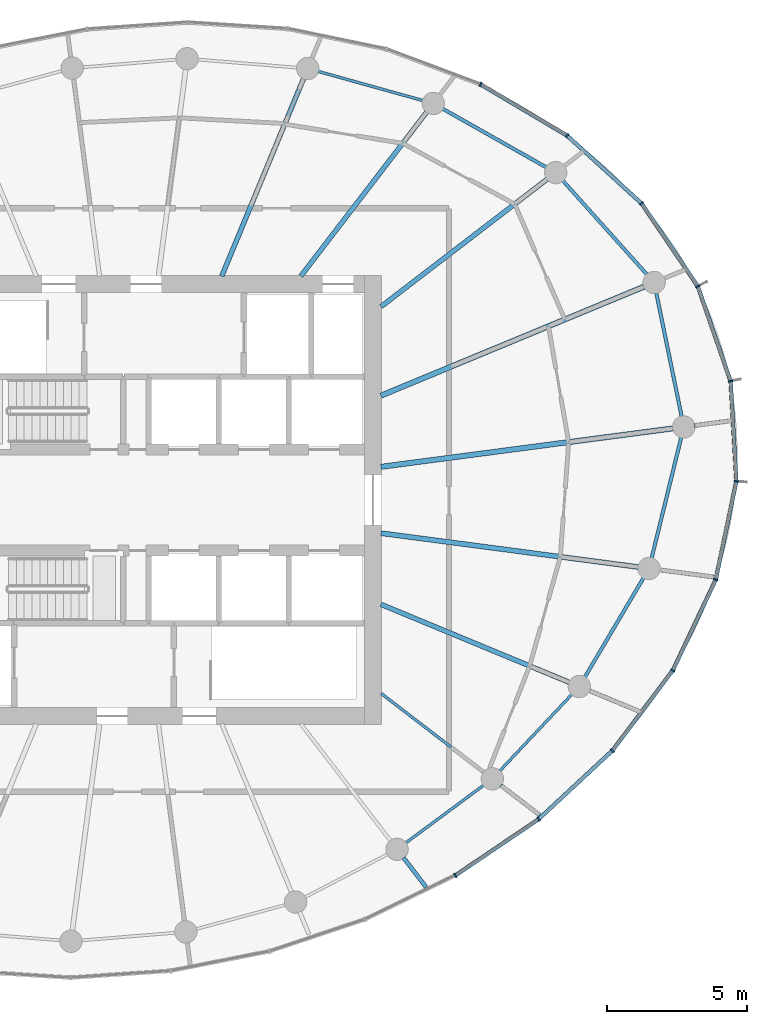
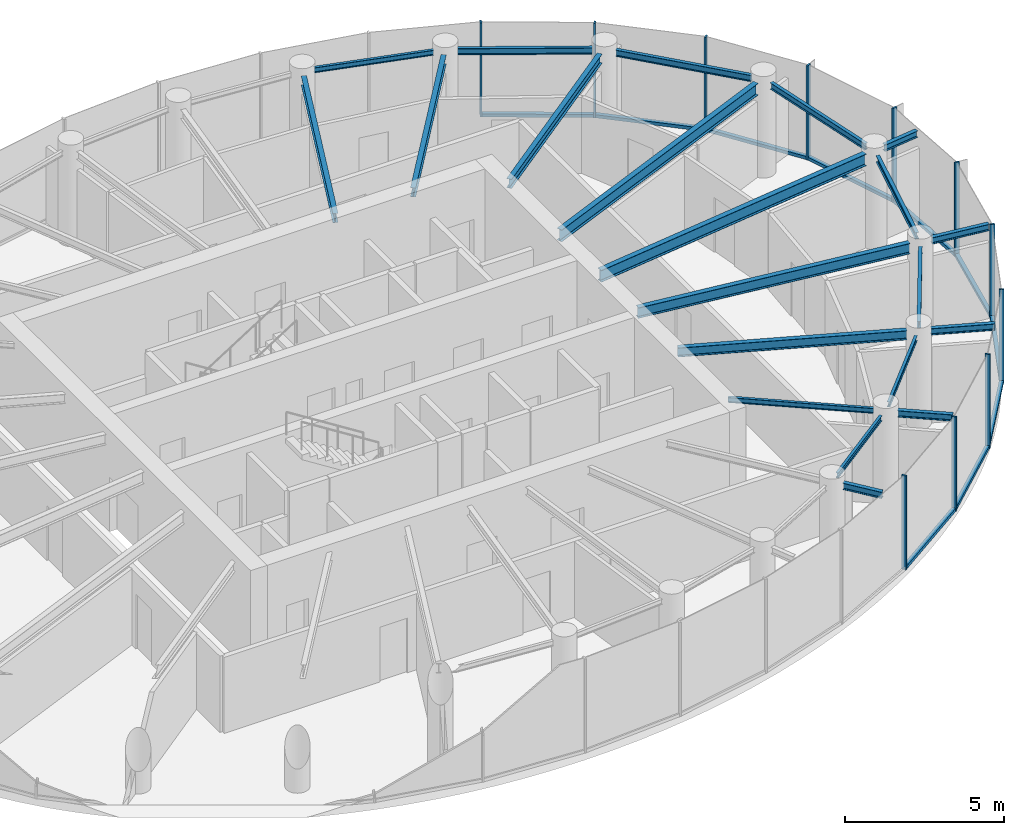
# One storey, part 5 of 13: 21 beams, 21 members, 3 elements without a shape of their own.
"""IFC4 building model written with IfcOpenShell, lengths in metres."""

from ifc_helpers import new_model, si_unit, direction, frame, origin, origin_2d, place, context, subcontext, project, spatial, rectangle, i_section, extrude, source, transform, mapped, material, layer, layer_set, material_profile, profile_set, type_object, element, aggregate, save


model = new_model("IFC4")

# Units and contexts
model_context = context("Model", 3, precision=1e-05, world=origin(), true_north=direction((0.0, 1.0)))
body_context = subcontext(model_context, "Body", "Model", "MODEL_VIEW")
ifc_project = project(units=[si_unit("LENGTHUNIT", "METRE"), si_unit("AREAUNIT", "SQUARE_METRE"), si_unit("VOLUMEUNIT", "CUBIC_METRE"), si_unit("PLANEANGLEUNIT", "RADIAN"), si_unit("MASSUNIT", "GRAM", prefix="KILO")], contexts=[model_context])

# Site, building, storey
site_placement = place(None, origin())
site = spatial("IfcSite", under=ifc_project, at=site_placement, CompositionType="ELEMENT")
building_placement = place(site_placement, origin())
building = spatial("IfcBuilding", under=site, at=building_placement, Name="Spindrift Exchange Tower", CompositionType="ELEMENT")
storey_placement = place(building_placement, frame((0.0, 0.0, 265.699951171875)))
storey = spatial("IfcBuildingStorey", under=building, at=storey_placement, Name="L65", CompositionType="ELEMENT", Elevation=265.699951171875)

# Beams
ifc_material_1 = material(Name="Steel Grade 300", Category="steel")
ifc_material_profile_1 = material_profile(ifc_material_1, i_section(OverallWidth=0.18994140625, OverallDepth=0.4541015625, WebThickness=0.008544921875, FlangeThickness=0.0126953125, FilletRadius=0.013916015625, at=origin_2d()), Name="460UB67.1")
ifc_profile_set_1 = profile_set([ifc_material_profile_1], Name="Steel Grade 300")
beam_type_1 = type_object("IfcBeamType", Name="Floor Beam 460UB67.1 Steel Grade 300", PredefinedType="BEAM", material=ifc_profile_set_1)
shared_shape_1 = source(origin(), body_context, "Body", "SweptSolid", [
    extrude(i_section(OverallWidth=0.18994140625, OverallDepth=0.4541015625, WebThickness=0.008544921875, FlangeThickness=0.0126953125, FilletRadius=0.013916015625, at=origin_2d()), origin(), (0.0, 0.0, 1.0), 10.510009765625),
])
beam_1_placement = place(storey_placement, frame((60.980224609375, 49.182373046875, 3.39306640625), z_axis=(0.991445042488, 0.130524816516, 0.0), x_axis=(-0.130524816516, 0.991445042488, 0.0)))
element("IfcBeam", 1, at=beam_1_placement, inside=storey, type_object=beam_type_1, Name="L65 radial beam R01A", PredefinedType="BEAM", context=body_context, shape_type="MappedRepresentation", body=[
    mapped(shared_shape_1, transform((0.0, 0.0, 0.0), scale=1.0)),
])
shared_shape_2 = source(origin(), body_context, "Body", "SweptSolid", [
    extrude(i_section(OverallWidth=0.18994140625, OverallDepth=0.4541015625, WebThickness=0.008544921875, FlangeThickness=0.0126953125, FilletRadius=0.013916015625, at=origin_2d()), origin(), (0.0, 0.0, 1.0), 10.160400390625),
])
beam_2_placement = place(storey_placement, frame((60.9814453125, 51.72021484375, 3.39306640625), z_axis=(0.923880358773, 0.382681437588, 0.0), x_axis=(-0.382681437588, 0.923880358773, 0.0)))
element("IfcBeam", 2, at=beam_2_placement, inside=storey, type_object=beam_type_1, Name="L65 radial beam R02A", PredefinedType="BEAM", context=body_context, shape_type="MappedRepresentation", body=[
    mapped(shared_shape_2, transform((0.0, 0.0, 0.0), scale=1.0)),
])
ifc_material_profile_2 = material_profile(ifc_material_1, i_section(OverallWidth=0.1708984375, OverallDepth=0.35205078125, WebThickness=0.0068359375, FlangeThickness=0.009765625, FilletRadius=0.013916015625, at=origin_2d()), Name="360UB44.7")
ifc_profile_set_2 = profile_set([ifc_material_profile_2], Name="Steel Grade 300")
beam_type_2 = type_object("IfcBeamType", Name="Floor Beam 360UB44.7 Steel Grade 300", PredefinedType="BEAM", material=ifc_profile_set_2)
shared_shape_3 = source(origin(), body_context, "Body", "SweptSolid", [
    extrude(i_section(OverallWidth=0.1708984375, OverallDepth=0.35205078125, WebThickness=0.0068359375, FlangeThickness=0.009765625, FilletRadius=0.013916015625, at=origin_2d()), origin(), (0.0, 0.0, 1.0), 7.466796875),
])
beam_3_placement = place(storey_placement, frame((60.984130859375, 54.893798828125, 3.444091796875), z_axis=(0.793360004804, 0.608752743548, 0.0), x_axis=(-0.608752743548, 0.793360004804, 0.0)))
element("IfcBeam", 3, at=beam_3_placement, inside=storey, type_object=beam_type_2, Name="L65 radial beam R03A", PredefinedType="BEAM", context=body_context, shape_type="MappedRepresentation", body=[
    mapped(shared_shape_3, transform((0.0, 0.0, 0.0), scale=1.0)),
])
shared_shape_4 = source(origin(), body_context, "Body", "SweptSolid", [
    extrude(i_section(OverallWidth=0.1708984375, OverallDepth=0.35205078125, WebThickness=0.0068359375, FlangeThickness=0.009765625, FilletRadius=0.013916015625, at=origin_2d()), origin(), (0.0, 0.0, 1.0), 7.3740234375),
])
beam_4_placement = place(storey_placement, frame((58.12646484375, 55.984130859375, 3.444091796875), z_axis=(0.608751913917, 0.793360641387, 0.0), x_axis=(-0.793360641387, 0.608751913917, 0.0)))
element("IfcBeam", 4, at=beam_4_placement, inside=storey, type_object=beam_type_2, Name="L65 radial beam R04A", PredefinedType="BEAM", context=body_context, shape_type="MappedRepresentation", body=[
    mapped(shared_shape_4, transform((0.0, 0.0, 0.0), scale=1.0)),
])
shared_shape_5 = source(origin(), body_context, "Body", "SweptSolid", [
    extrude(i_section(OverallWidth=0.1708984375, OverallDepth=0.35205078125, WebThickness=0.0068359375, FlangeThickness=0.009765625, FilletRadius=0.013916015625, at=origin_2d()), origin(), (0.0, 0.0, 1.0), 7.630859375),
])
beam_5_placement = place(storey_placement, frame((55.30615234375, 55.9814453125, 3.444091796875), z_axis=(0.382676740702, 0.92388230426, 0.0), x_axis=(-0.92388230426, 0.382676740702, 0.0)))
element("IfcBeam", 5, at=beam_5_placement, inside=storey, type_object=beam_type_2, Name="L65 radial beam R05A", PredefinedType="BEAM", context=body_context, shape_type="MappedRepresentation", body=[
    mapped(shared_shape_5, transform((0.0, 0.0, 0.0), scale=1.0)),
])
ifc_material_profile_3 = material_profile(ifc_material_1, i_section(OverallWidth=0.09912109375, OverallDepth=0.197998046875, WebThickness=0.00439453125, FlangeThickness=0.007080078125, FilletRadius=0.010986328125, at=origin_2d()), Name="200UB18.2")
ifc_profile_set_3 = profile_set([ifc_material_profile_3], Name="Steel Grade 300")
beam_type_3 = type_object("IfcBeamType", Name="Floor Beam 200UB18.2 Steel Grade 300", PredefinedType="BEAM", material=ifc_profile_set_3)
shared_shape_6 = source(origin(), body_context, "Body", "SweptSolid", [
    extrude(i_section(OverallWidth=0.09912109375, OverallDepth=0.197998046875, WebThickness=0.00439453125, FlangeThickness=0.007080078125, FilletRadius=0.010986328125, at=origin_2d()), origin(), (0.0, 0.0, 1.0), 4.622802734375),
])
beam_6_placement = place(storey_placement, frame((60.984130859375, 41.106201171875, 3.52099609375), z_axis=(0.793347882225, -0.608768542033, 0.0), x_axis=(0.608768542033, 0.793347882225, 0.0)))
element("IfcBeam", 6, at=beam_6_placement, inside=storey, type_object=beam_type_3, Name="L65 radial beam R22A", PredefinedType="BEAM", context=body_context, shape_type="MappedRepresentation", body=[
    mapped(shared_shape_6, transform((0.0, 0.0, 0.0), scale=1.0)),
])
shared_shape_7 = source(origin(), body_context, "Body", "SweptSolid", [
    extrude(i_section(OverallWidth=0.1708984375, OverallDepth=0.35205078125, WebThickness=0.0068359375, FlangeThickness=0.009765625, FilletRadius=0.013916015625, at=origin_2d()), origin(), (0.0, 0.0, 1.0), 7.272705078125),
])
beam_7_placement = place(storey_placement, frame((60.9814453125, 44.27978515625, 3.444091796875), z_axis=(0.923874446092, -0.382695711836, 0.0), x_axis=(0.382695711836, 0.923874446092, 0.0)))
element("IfcBeam", 7, at=beam_7_placement, inside=storey, type_object=beam_type_2, Name="L65 radial beam R23A", PredefinedType="BEAM", context=body_context, shape_type="MappedRepresentation", body=[
    mapped(shared_shape_7, transform((0.0, 0.0, 0.0), scale=1.0)),
])
ifc_material_profile_4 = material_profile(ifc_material_1, i_section(OverallWidth=0.177978515625, OverallDepth=0.403076171875, WebThickness=0.007568359375, FlangeThickness=0.010986328125, FilletRadius=0.013916015625, at=origin_2d()), Name="410UB53.7")
ifc_profile_set_4 = profile_set([ifc_material_profile_4], Name="Steel Grade 300")
beam_type_4 = type_object("IfcBeamType", Name="Floor Beam 410UB53.7 Steel Grade 300", PredefinedType="BEAM", material=ifc_profile_set_4)
shared_shape_8 = source(origin(), body_context, "Body", "SweptSolid", [
    extrude(i_section(OverallWidth=0.177978515625, OverallDepth=0.403076171875, WebThickness=0.007568359375, FlangeThickness=0.010986328125, FilletRadius=0.013916015625, at=origin_2d()), origin(), (0.0, 0.0, 1.0), 9.261962890625),
])
beam_8_placement = place(storey_placement, frame((60.980224609375, 46.817626953125, 3.41845703125), z_axis=(0.991447744872, -0.130504288008, 0.0), x_axis=(0.130504288008, 0.991447744872, 0.0)))
element("IfcBeam", 8, at=beam_8_placement, inside=storey, type_object=beam_type_4, Name="L65 radial beam R24A", PredefinedType="BEAM", context=body_context, shape_type="MappedRepresentation", body=[
    mapped(shared_shape_8, transform((0.0, 0.0, 0.0), scale=1.0)),
])
ifc_material_profile_5 = material_profile(ifc_material_1, i_section(OverallWidth=0.1240234375, OverallDepth=0.248046875, WebThickness=0.0048828125, FlangeThickness=0.008056640625, FilletRadius=0.011962890625, at=origin_2d()), Name="250UB25.7")
ifc_profile_set_5 = profile_set([ifc_material_profile_5], Name="Steel Grade 300")
beam_type_5 = type_object("IfcBeamType", Name="Edge Beam 250UB25.7 Steel Grade 300", PredefinedType="SPANDREL", material=ifc_profile_set_5)
shared_shape_9 = source(origin(), body_context, "Body", "SweptSolid", [
    extrude(i_section(OverallWidth=0.1240234375, OverallDepth=0.248046875, WebThickness=0.0048828125, FlangeThickness=0.008056640625, FilletRadius=0.011962890625, at=origin_2d()), origin(), (0.0, 0.0, 1.0), 4.497802734375),
])
beam_9_placement = place(storey_placement, frame((71.700927734375, 50.975830078125, 3.49609375), z_axis=(-0.201217935785, 0.979546498293, 0.0), x_axis=(-0.979546498293, -0.201217935785, 0.0)))
element("IfcBeam", 9, at=beam_9_placement, inside=storey, type_object=beam_type_5, Name="L65 edge beam E01", PredefinedType="SPANDREL", context=body_context, shape_type="MappedRepresentation", body=[
    mapped(shared_shape_9, transform((0.0, 0.0, 0.0), scale=1.0)),
])
shared_shape_10 = source(origin(), body_context, "Body", "SweptSolid", [
    extrude(i_section(OverallWidth=0.1240234375, OverallDepth=0.248046875, WebThickness=0.0048828125, FlangeThickness=0.008056640625, FilletRadius=0.011962890625, at=origin_2d()), origin(), (0.0, 0.0, 1.0), 4.499755859375),
])
beam_10_placement = place(storey_placement, frame((70.466064453125, 56.036865234375, 3.49609375), z_axis=(-0.667419502646, 0.744681950558, 0.0), x_axis=(-0.744681950558, -0.667419502646, 0.0)))
element("IfcBeam", 10, at=beam_10_placement, inside=storey, type_object=beam_type_5, Name="L65 edge beam E02", PredefinedType="SPANDREL", context=body_context, shape_type="MappedRepresentation", body=[
    mapped(shared_shape_10, transform((0.0, 0.0, 0.0), scale=1.0)),
])
shared_shape_11 = source(origin(), body_context, "Body", "SweptSolid", [
    extrude(i_section(OverallWidth=0.1240234375, OverallDepth=0.248046875, WebThickness=0.0048828125, FlangeThickness=0.008056640625, FilletRadius=0.011962890625, at=origin_2d()), origin(), (0.0, 0.0, 1.0), 4.2509765625),
])
beam_11_placement = place(storey_placement, frame((66.878662109375, 59.857666015625, 3.49609375), z_axis=(-0.870615246867, 0.491964523033, 0.0), x_axis=(-0.491964523033, -0.870615246867, 0.0)))
element("IfcBeam", 11, at=beam_11_placement, inside=storey, type_object=beam_type_5, Name="L65 edge beam E03", PredefinedType="SPANDREL", context=body_context, shape_type="MappedRepresentation", body=[
    mapped(shared_shape_11, transform((0.0, 0.0, 0.0), scale=1.0)),
])
ifc_material_profile_6 = material_profile(ifc_material_1, i_section(OverallWidth=0.09912109375, OverallDepth=0.197998046875, WebThickness=0.00439453125, FlangeThickness=0.007080078125, FilletRadius=0.010986328125, at=origin_2d()), Name="200UB18.2")
ifc_profile_set_6 = profile_set([ifc_material_profile_6], Name="Steel Grade 300")
beam_type_6 = type_object("IfcBeamType", Name="Edge Beam 200UB18.2 Steel Grade 300", PredefinedType="SPANDREL", material=ifc_profile_set_6)
shared_shape_12 = source(origin(), body_context, "Body", "SweptSolid", [
    extrude(i_section(OverallWidth=0.09912109375, OverallDepth=0.197998046875, WebThickness=0.00439453125, FlangeThickness=0.007080078125, FilletRadius=0.010986328125, at=origin_2d()), origin(), (0.0, 0.0, 1.0), 3.885498046875),
])
beam_12_placement = place(storey_placement, frame((62.480712890625, 62.238037109375, 3.52099609375), z_axis=(-0.963333134661, 0.268308165482, 0.0), x_axis=(-0.268308165482, -0.963333134661, 0.0)))
element("IfcBeam", 12, at=beam_12_placement, inside=storey, type_object=beam_type_6, Name="L65 edge beam E04", PredefinedType="SPANDREL", context=body_context, shape_type="MappedRepresentation", body=[
    mapped(shared_shape_12, transform((0.0, 0.0, 0.0), scale=1.0)),
])
shared_shape_13 = source(origin(), body_context, "Body", "SweptSolid", [
    extrude(i_section(OverallWidth=0.09912109375, OverallDepth=0.197998046875, WebThickness=0.00439453125, FlangeThickness=0.007080078125, FilletRadius=0.010986328125, at=origin_2d()), origin(), (0.0, 0.0, 1.0), 3.466552734375),
])
beam_13_placement = place(storey_placement, frame((61.861083984375, 35.772705078125, 3.52099609375), z_axis=(0.803854022168, 0.594826622676, 0.0), x_axis=(-0.594826622676, 0.803854022168, 0.0)))
element("IfcBeam", 13, at=beam_13_placement, inside=storey, type_object=beam_type_6, Name="L65 edge beam E21", PredefinedType="SPANDREL", context=body_context, shape_type="MappedRepresentation", body=[
    mapped(shared_shape_13, transform((0.0, 0.0, 0.0), scale=1.0)),
])
shared_shape_14 = source(origin(), body_context, "Body", "SweptSolid", [
    extrude(i_section(OverallWidth=0.09912109375, OverallDepth=0.197998046875, WebThickness=0.00439453125, FlangeThickness=0.007080078125, FilletRadius=0.010986328125, at=origin_2d()), origin(), (0.0, 0.0, 1.0), 3.759765625),
])
beam_14_placement = place(storey_placement, frame((65.213623046875, 38.33740234375, 3.52099609375), z_axis=(0.685520646854, 0.72805318675, 0.0), x_axis=(-0.72805318675, 0.685520646854, 0.0)))
element("IfcBeam", 14, at=beam_14_placement, inside=storey, type_object=beam_type_6, Name="L65 edge beam E22", PredefinedType="SPANDREL", context=body_context, shape_type="MappedRepresentation", body=[
    mapped(shared_shape_14, transform((0.0, 0.0, 0.0), scale=1.0)),
])
shared_shape_15 = source(origin(), body_context, "Body", "SweptSolid", [
    extrude(i_section(OverallWidth=0.1240234375, OverallDepth=0.248046875, WebThickness=0.0048828125, FlangeThickness=0.008056640625, FilletRadius=0.011962890625, at=origin_2d()), origin(), (0.0, 0.0, 1.0), 4.128662109375),
])
beam_15_placement = place(storey_placement, frame((68.244873046875, 41.678466796875, 3.49609375), z_axis=(0.509067946458, 0.860726336235, 0.0), x_axis=(-0.860726336235, 0.509067946458, 0.0)))
element("IfcBeam", 15, at=beam_15_placement, inside=storey, type_object=beam_type_5, Name="L65 edge beam E23", PredefinedType="SPANDREL", context=body_context, shape_type="MappedRepresentation", body=[
    mapped(shared_shape_15, transform((0.0, 0.0, 0.0), scale=1.0)),
])
shared_shape_16 = source(origin(), body_context, "Body", "SweptSolid", [
    extrude(i_section(OverallWidth=0.1240234375, OverallDepth=0.248046875, WebThickness=0.0048828125, FlangeThickness=0.008056640625, FilletRadius=0.011962890625, at=origin_2d()), origin(), (0.0, 0.0, 1.0), 4.43408203125),
])
beam_16_placement = place(storey_placement, frame((70.630615234375, 45.92822265625, 3.49609375), z_axis=(0.238193109804, 0.971217814109, 0.0), x_axis=(-0.971217814109, 0.238193109804, 0.0)))
element("IfcBeam", 16, at=beam_16_placement, inside=storey, type_object=beam_type_5, Name="L65 edge beam E24", PredefinedType="SPANDREL", context=body_context, shape_type="MappedRepresentation", body=[
    mapped(shared_shape_16, transform((0.0, 0.0, 0.0), scale=1.0)),
])
ifc_material_profile_7 = material_profile(ifc_material_1, i_section(OverallWidth=0.14599609375, OverallDepth=0.251953125, WebThickness=0.006103515625, FlangeThickness=0.008544921875, FilletRadius=0.011962890625, at=origin_2d()), Name="250UB31.4")
ifc_profile_set_7 = profile_set([ifc_material_profile_7], Name="Steel Grade 300")
beam_type_7 = type_object("IfcBeamType", Name="Cantilever Beam 250UB31.4 Steel Grade 300", PredefinedType="BEAM", material=ifc_profile_set_7)
shared_shape_17 = source(origin(), body_context, "Body", "SweptSolid", [
    extrude(i_section(OverallWidth=0.14599609375, OverallDepth=0.251953125, WebThickness=0.006103515625, FlangeThickness=0.008544921875, FilletRadius=0.011962890625, at=origin_2d()), origin(), (0.0, 0.0, 1.0), 1.293212890625),
])
beam_17_placement = place(storey_placement, frame((72.154052734375, 50.6533203125, 3.494140625), z_axis=(0.991455580564, 0.130444746034, 0.0), x_axis=(-0.130444746034, 0.991455580564, 0.0)))
element("IfcBeam", 17, at=beam_17_placement, inside=storey, type_object=beam_type_7, Name="L65 cantilever beam R01T", PredefinedType="BEAM", context=body_context, shape_type="MappedRepresentation", body=[
    mapped(shared_shape_17, transform((0.0, 0.0, 0.0), scale=1.0)),
])
shared_shape_18 = source(origin(), body_context, "Body", "SweptSolid", [
    extrude(i_section(OverallWidth=0.14599609375, OverallDepth=0.251953125, WebThickness=0.006103515625, FlangeThickness=0.008544921875, FilletRadius=0.011962890625, at=origin_2d()), origin(), (0.0, 0.0, 1.0), 1.327880859375),
])
beam_18_placement = place(storey_placement, frame((61.787109375, 35.245361328125, 3.494140625), z_axis=(0.608759582862, -0.793354756886, 0.0), x_axis=(0.793354756886, 0.608759582862, 0.0)))
element("IfcBeam", 18, at=beam_18_placement, inside=storey, type_object=beam_type_7, Name="L65 cantilever beam R21T", PredefinedType="BEAM", context=body_context, shape_type="MappedRepresentation", body=[
    mapped(shared_shape_18, transform((0.0, 0.0, 0.0), scale=1.0)),
])
shared_shape_19 = source(origin(), body_context, "Body", "SweptSolid", [
    extrude(i_section(OverallWidth=0.14599609375, OverallDepth=0.251953125, WebThickness=0.006103515625, FlangeThickness=0.008544921875, FilletRadius=0.011962890625, at=origin_2d()), origin(), (0.0, 0.0, 1.0), 1.7568359375),
])
beam_19_placement = place(storey_placement, frame((65.25439453125, 37.829345703125, 3.494140625), z_axis=(0.793398292665, -0.608702841456, 0.0), x_axis=(0.608702841456, 0.793398292665, 0.0)))
element("IfcBeam", 19, at=beam_19_placement, inside=storey, type_object=beam_type_7, Name="L65 cantilever beam R22T", PredefinedType="BEAM", context=body_context, shape_type="MappedRepresentation", body=[
    mapped(shared_shape_19, transform((0.0, 0.0, 0.0), scale=1.0)),
])
shared_shape_20 = source(origin(), body_context, "Body", "SweptSolid", [
    extrude(i_section(OverallWidth=0.14599609375, OverallDepth=0.251953125, WebThickness=0.006103515625, FlangeThickness=0.008544921875, FilletRadius=0.011962890625, at=origin_2d()), origin(), (0.0, 0.0, 1.0), 2.03515625),
])
beam_20_placement = place(storey_placement, frame((68.402587890625, 41.205810546875, 3.494140625), z_axis=(0.923891104078, -0.382655494937, 0.0), x_axis=(0.382655494937, 0.923891104078, 0.0)))
element("IfcBeam", 20, at=beam_20_placement, inside=storey, type_object=beam_type_7, Name="L65 cantilever beam R23T", PredefinedType="BEAM", context=body_context, shape_type="MappedRepresentation", body=[
    mapped(shared_shape_20, transform((0.0, 0.0, 0.0), scale=1.0)),
])
shared_shape_21 = source(origin(), body_context, "Body", "SweptSolid", [
    extrude(i_section(OverallWidth=0.14599609375, OverallDepth=0.251953125, WebThickness=0.006103515625, FlangeThickness=0.008544921875, FilletRadius=0.011962890625, at=origin_2d()), origin(), (0.0, 0.0, 1.0), 1.941162109375),
])
beam_21_placement = place(storey_placement, frame((70.916748046875, 45.509521484375, 3.494140625), z_axis=(0.991441876762, -0.130548860596, 0.0), x_axis=(0.130548860596, 0.991441876762, 0.0)))
element("IfcBeam", 21, at=beam_21_placement, inside=storey, type_object=beam_type_7, Name="L65 cantilever beam R24T", PredefinedType="BEAM", context=body_context, shape_type="MappedRepresentation", body=[
    mapped(shared_shape_21, transform((0.0, 0.0, 0.0), scale=1.0)),
])

# Curtain wall, members
ifc_material_2 = material(Name="Fritted laminated glass with bronze frame", Category="glass")
ifc_layer = layer(ifc_material_2, 0.159912109375)
ifc_layer_set = layer_set([ifc_layer], Name="ZONE 5 BRONZE FRITTED WALL")
curtain_wall_type = type_object("IfcCurtainWallType", Name="ZONE 5 BRONZE FRITTED WALL", PredefinedType="NOTDEFINED", material=ifc_layer_set)
curtain_wall_1_placement = place(storey_placement, origin())
curtain_wall_1 = element("IfcCurtainWall", 22, at=curtain_wall_1_placement, inside=storey, type_object=curtain_wall_type, Name="L65 Zone 5 Bronze Fritted Wall run 5", PredefinedType="NOTDEFINED")
ifc_material_3 = material(Name="Bronze anodised aluminium", Category="aluminium")
ifc_material_profile_8 = material_profile(ifc_material_3, rectangle(XDim=0.139892578125, YDim=0.1201171875, at=origin_2d()), Name="ZONE 5 BRONZE FRITTED WALL TRANSOM 140X120")
ifc_profile_set_8 = profile_set([ifc_material_profile_8], Name="Bronze anodised aluminium")
member_type_1 = type_object("IfcMemberType", Name="ZONE 5 BRONZE FRITTED WALL TRANSOM 140X120", PredefinedType="USERDEFINED", material=ifc_profile_set_8)
shared_shape_22 = source(origin(), body_context, "Body", "SweptSolid", [
    extrude(rectangle(XDim=0.139892578125, YDim=0.1201171875, at=origin_2d()), origin(), (0.0, 0.0, 1.0), 3.525390625),
])
member_1_placement = place(storey_placement, frame((63.656982421875, 34.631103515625, 0.06005859375), z_axis=(0.828657553616, 0.559755892184, 0.0), x_axis=(-0.559755892184, 0.828657553616, 0.0)))
member_1 = element("IfcMember", 23, at=member_1_placement, type_object=member_type_1, Name="L65 transom CW-5.29", ObjectType="TRANSOM", PredefinedType="USERDEFINED", context=body_context, shape_type="MappedRepresentation", body=[
    mapped(shared_shape_22, transform((0.0, 0.0, 0.0), scale=1.0)),
])
shared_shape_23 = source(origin(), body_context, "Body", "SweptSolid", [
    extrude(rectangle(XDim=0.139892578125, YDim=0.1201171875, at=origin_2d()), origin(), (0.0, 0.0, 1.0), 3.524658203125),
])
member_2_placement = place(storey_placement, frame((66.625244140625, 36.641845703125, 0.06005859375), z_axis=(0.732336938056, 0.680942441883, 0.0), x_axis=(-0.680942441883, 0.732336938056, 0.0)))
member_2 = element("IfcMember", 24, at=member_2_placement, type_object=member_type_1, Name="L65 transom CW-5.30", ObjectType="TRANSOM", PredefinedType="USERDEFINED", context=body_context, shape_type="MappedRepresentation", body=[
    mapped(shared_shape_23, transform((0.0, 0.0, 0.0), scale=1.0)),
])

# Curtain wall, member
curtain_wall_2_placement = place(storey_placement, origin())
curtain_wall_2 = element("IfcCurtainWall", 25, at=curtain_wall_2_placement, inside=storey, type_object=curtain_wall_type, Name="L65 Zone 5 Bronze Fritted Wall run 1", PredefinedType="NOTDEFINED")
shared_shape_24 = source(origin(), body_context, "Body", "SweptSolid", [
    extrude(rectangle(XDim=0.139892578125, YDim=0.1201171875, at=origin_2d()), origin(), (0.0, 0.0, 1.0), 3.521484375),
])
member_3_placement = place(storey_placement, frame((70.243896484375, 58.599609375, 0.06005859375), z_axis=(-0.739368881408, 0.673300569736, 0.0), x_axis=(-0.673300569736, -0.739368881408, 0.0)))
member_3 = element("IfcMember", 26, at=member_3_placement, type_object=member_type_1, Name="L65 transom CW-5.3", ObjectType="TRANSOM", PredefinedType="USERDEFINED", context=body_context, shape_type="MappedRepresentation", body=[
    mapped(shared_shape_24, transform((0.0, 0.0, 0.0), scale=1.0)),
])

curtain_wall_3_placement = place(storey_placement, origin())
curtain_wall_3 = element("IfcCurtainWall", 27, at=curtain_wall_3_placement, inside=storey, type_object=curtain_wall_type, Name="L65 Zone 5 Bronze Fritted Wall run 6", PredefinedType="NOTDEFINED")
member_4_placement = place(storey_placement, frame((71.397705078125, 41.951416015625, 0.06005859375), z_axis=(0.427752538252, 0.903895882289, 0.0), x_axis=(-0.903895882289, 0.427752538252, 0.0)))
member_4 = element("IfcMember", 28, at=member_4_placement, type_object=member_type_1, Name="L65 transom CW-5.32", ObjectType="TRANSOM", PredefinedType="USERDEFINED", context=body_context, shape_type="MappedRepresentation", body=[
    mapped(shared_shape_24, transform((0.0, 0.0, 0.0), scale=1.0)),
])

# Member
shared_shape_25 = source(origin(), body_context, "Body", "SweptSolid", [
    extrude(rectangle(XDim=0.139892578125, YDim=0.1201171875, at=origin_2d()), origin(), (0.0, 0.0, 1.0), 3.519287109375),
])
member_5_placement = place(storey_placement, frame((72.259765625, 55.642822265625, 0.06005859375), z_axis=(-0.561708366832, 0.827335307255, 0.0), x_axis=(-0.827335307255, -0.561708366832, 0.0)))
member_5 = element("IfcMember", 29, at=member_5_placement, type_object=member_type_1, Name="L65 transom CW-5.2", ObjectType="TRANSOM", PredefinedType="USERDEFINED", context=body_context, shape_type="MappedRepresentation", body=[
    mapped(shared_shape_25, transform((0.0, 0.0, 0.0), scale=1.0)),
])

member_6_placement = place(storey_placement, frame((72.9228515625, 45.191162109375, 0.06005859375), z_axis=(0.204926523544, 0.978777359744, 0.0), x_axis=(-0.978777359744, 0.204926523544, 0.0)))
member_6 = element("IfcMember", 30, at=member_6_placement, type_object=member_type_1, Name="L65 transom CW-5.33", ObjectType="TRANSOM", PredefinedType="USERDEFINED", context=body_context, shape_type="MappedRepresentation", body=[
    mapped(shared_shape_25, transform((0.0, 0.0, 0.0), scale=1.0)),
])

shared_shape_26 = source(origin(), body_context, "Body", "SweptSolid", [
    extrude(rectangle(XDim=0.139892578125, YDim=0.1201171875, at=origin_2d()), origin(), (0.0, 0.0, 1.0), 3.5234375),
])
member_7_placement = place(storey_placement, frame((69.246337890625, 39.08642578125, 0.06005859375), z_axis=(0.601794517174, 0.798650961997, 0.0), x_axis=(-0.798650961997, 0.601794517174, 0.0)))
member_7 = element("IfcMember", 31, at=member_7_placement, type_object=member_type_1, Name="L65 transom CW-5.31", ObjectType="TRANSOM", PredefinedType="USERDEFINED", context=body_context, shape_type="MappedRepresentation", body=[
    mapped(shared_shape_26, transform((0.0, 0.0, 0.0), scale=1.0)),
])

shared_shape_27 = source(origin(), body_context, "Body", "SweptSolid", [
    extrude(rectangle(XDim=0.139892578125, YDim=0.1201171875, at=origin_2d()), origin(), (0.0, 0.0, 1.0), 3.517578125),
])
member_8_placement = place(storey_placement, frame((73.435302734375, 52.26513671875, 0.06005859375), z_axis=(-0.326619459421, 0.945155928261, 0.0), x_axis=(-0.945155928261, -0.326619459421, 0.0)))
member_8 = element("IfcMember", 32, at=member_8_placement, type_object=member_type_1, Name="L65 transom CW-5.1", ObjectType="TRANSOM", PredefinedType="USERDEFINED", context=body_context, shape_type="MappedRepresentation", body=[
    mapped(shared_shape_27, transform((0.0, 0.0, 0.0), scale=1.0)),
])

member_9_placement = place(storey_placement, frame((73.6484375, 48.695068359375, 0.06005859375), z_axis=(-0.057330467297, 0.998355256169, 0.0), x_axis=(-0.998355256169, -0.057330467297, 0.0)))
member_9 = element("IfcMember", 33, at=member_9_placement, type_object=member_type_1, Name="L65 transom CW-5.34", ObjectType="TRANSOM", PredefinedType="USERDEFINED", context=body_context, shape_type="MappedRepresentation", body=[
    mapped(shared_shape_27, transform((0.0, 0.0, 0.0), scale=1.0)),
])

shared_shape_28 = source(origin(), body_context, "Body", "SweptSolid", [
    extrude(rectangle(XDim=0.139892578125, YDim=0.1201171875, at=origin_2d()), origin(), (0.0, 0.0, 1.0), 3.523681640625),
])
member_10_placement = place(storey_placement, frame((67.59228515625, 61.006103515625, 0.06005859375), z_axis=(-0.860280278515, 0.509821382838, 0.0), x_axis=(-0.509821382838, -0.860280278515, 0.0)))
member_10 = element("IfcMember", 34, at=member_10_placement, type_object=member_type_1, Name="L65 transom CW-5.4", ObjectType="TRANSOM", PredefinedType="USERDEFINED", context=body_context, shape_type="MappedRepresentation", body=[
    mapped(shared_shape_28, transform((0.0, 0.0, 0.0), scale=1.0)),
])

ifc_material_profile_9 = material_profile(ifc_material_3, rectangle(XDim=0.06005859375, YDim=0.159912109375, at=origin_2d()), Name="ZONE 5 BRONZE FRITTED WALL MULLION 60X160")
ifc_profile_set_9 = profile_set([ifc_material_profile_9], Name="Bronze anodised aluminium")
member_type_2 = type_object("IfcMemberType", Name="ZONE 5 BRONZE FRITTED WALL MULLION 60X160", PredefinedType="MULLION", material=ifc_profile_set_9)
shared_shape_29 = source(origin(), body_context, "Body", "SweptSolid", [
    extrude(rectangle(XDim=0.06005859375, YDim=0.159912109375, at=origin_2d()), origin(), (0.0, 0.0, 1.0), 3.6201171875),
])
member_11_placement = place(storey_placement, frame((73.445068359375, 52.23681640625, 0.0), z_axis=(0.0, 0.0, 1.0), x_axis=(-0.193820609032, 0.981036987842, 0.0)))
member_11 = element("IfcMember", 35, at=member_11_placement, type_object=member_type_2, Name="L65 mullion CW-5.1", PredefinedType="MULLION", context=body_context, shape_type="MappedRepresentation", body=[
    mapped(shared_shape_29, transform((0.0, 0.0, 0.0), scale=1.0)),
])

member_12_placement = place(storey_placement, frame((72.276611328125, 55.6181640625, 0.0), z_axis=(0.0, 0.0, 1.0), x_axis=(-0.448054883464, 0.894006052219, 0.0)))
member_12 = element("IfcMember", 36, at=member_12_placement, type_object=member_type_2, Name="L65 mullion CW-5.2", PredefinedType="MULLION", context=body_context, shape_type="MappedRepresentation", body=[
    mapped(shared_shape_29, transform((0.0, 0.0, 0.0), scale=1.0)),
])

member_13_placement = place(storey_placement, frame((70.26611328125, 58.579345703125, 0.0), z_axis=(0.0, 0.0, 1.0), x_axis=(-0.655075341804, 0.755563562224, 0.0)))
member_13 = element("IfcMember", 37, at=member_13_placement, type_object=member_type_2, Name="L65 mullion CW-5.3", PredefinedType="MULLION", context=body_context, shape_type="MappedRepresentation", body=[
    mapped(shared_shape_29, transform((0.0, 0.0, 0.0), scale=1.0)),
])

member_14_placement = place(storey_placement, frame((67.617919921875, 60.99072265625, 0.0), z_axis=(0.0, 0.0, 1.0), x_axis=(-0.803985778091, 0.594648525288, 0.0)))
member_14 = element("IfcMember", 38, at=member_14_placement, type_object=member_type_2, Name="L65 mullion CW-5.4", PredefinedType="MULLION", context=body_context, shape_type="MappedRepresentation", body=[
    mapped(shared_shape_29, transform((0.0, 0.0, 0.0), scale=1.0)),
])

member_15_placement = place(storey_placement, frame((64.53515625, 62.817626953125, 0.0), z_axis=(0.0, 0.0, 1.0), x_axis=(-0.901757763176, 0.432241757067, 0.0)))
member_15 = element("IfcMember", 39, at=member_15_placement, type_object=member_type_2, Name="L65 mullion CW-5.5", PredefinedType="MULLION", context=body_context, shape_type="MappedRepresentation", body=[
    mapped(shared_shape_29, transform((0.0, 0.0, 0.0), scale=1.0)),
])

aggregate(curtain_wall_2, [member_11, member_8, member_12, member_5, member_13, member_3, member_14, member_10, member_15])

member_16_placement = place(storey_placement, frame((63.632080078125, 34.6142578125, 0.0), z_axis=(0.0, 0.0, 1.0), x_axis=(0.865873626868, 0.500262793235, 0.0)))
member_16 = element("IfcMember", 40, at=member_16_placement, type_object=member_type_2, Name="L65 mullion CW-5.29", PredefinedType="MULLION", context=body_context, shape_type="MappedRepresentation", body=[
    mapped(shared_shape_29, transform((0.0, 0.0, 0.0), scale=1.0)),
])

member_17_placement = place(storey_placement, frame((66.603271484375, 36.621337890625, 0.0), z_axis=(0.0, 0.0, 1.0), x_axis=(0.782822029184, 0.622245667421, 0.0)))
member_17 = element("IfcMember", 41, at=member_17_placement, type_object=member_type_2, Name="L65 mullion CW-5.30", PredefinedType="MULLION", context=body_context, shape_type="MappedRepresentation", body=[
    mapped(shared_shape_29, transform((0.0, 0.0, 0.0), scale=1.0)),
])

aggregate(curtain_wall_1, [member_16, member_1, member_17, member_2])

member_18_placement = place(storey_placement, frame((69.228515625, 39.0625, 0.0), z_axis=(0.0, 0.0, 1.0), x_axis=(0.669633129409, 0.74269204385, 0.0)))
member_18 = element("IfcMember", 42, at=member_18_placement, type_object=member_type_2, Name="L65 mullion CW-5.31", PredefinedType="MULLION", context=body_context, shape_type="MappedRepresentation", body=[
    mapped(shared_shape_29, transform((0.0, 0.0, 0.0), scale=1.0)),
])

member_19_placement = place(storey_placement, frame((71.384765625, 41.92431640625, 0.0), z_axis=(0.0, 0.0, 1.0), x_axis=(0.517449074287, 0.855714003344, 0.0)))
member_19 = element("IfcMember", 43, at=member_19_placement, type_object=member_type_2, Name="L65 mullion CW-5.32", PredefinedType="MULLION", context=body_context, shape_type="MappedRepresentation", body=[
    mapped(shared_shape_29, transform((0.0, 0.0, 0.0), scale=1.0)),
])

member_20_placement = place(storey_placement, frame((72.916748046875, 45.16162109375, 0.0), z_axis=(0.0, 0.0, 1.0), x_axis=(0.318534378504, 0.94791130899, 0.0)))
member_20 = element("IfcMember", 44, at=member_20_placement, type_object=member_type_2, Name="L65 mullion CW-5.33", PredefinedType="MULLION", context=body_context, shape_type="MappedRepresentation", body=[
    mapped(shared_shape_29, transform((0.0, 0.0, 0.0), scale=1.0)),
])

member_21_placement = place(storey_placement, frame((73.650146484375, 48.6650390625, 0.0), z_axis=(0.0, 0.0, 1.0), x_axis=(0.074415823509, 0.997227298669, 0.0)))
member_21 = element("IfcMember", 45, at=member_21_placement, type_object=member_type_2, Name="L65 mullion CW-5.34", PredefinedType="MULLION", context=body_context, shape_type="MappedRepresentation", body=[
    mapped(shared_shape_29, transform((0.0, 0.0, 0.0), scale=1.0)),
])

aggregate(curtain_wall_3, [member_18, member_7, member_19, member_4, member_20, member_6, member_21, member_9])

save(model, "model.ifc")
